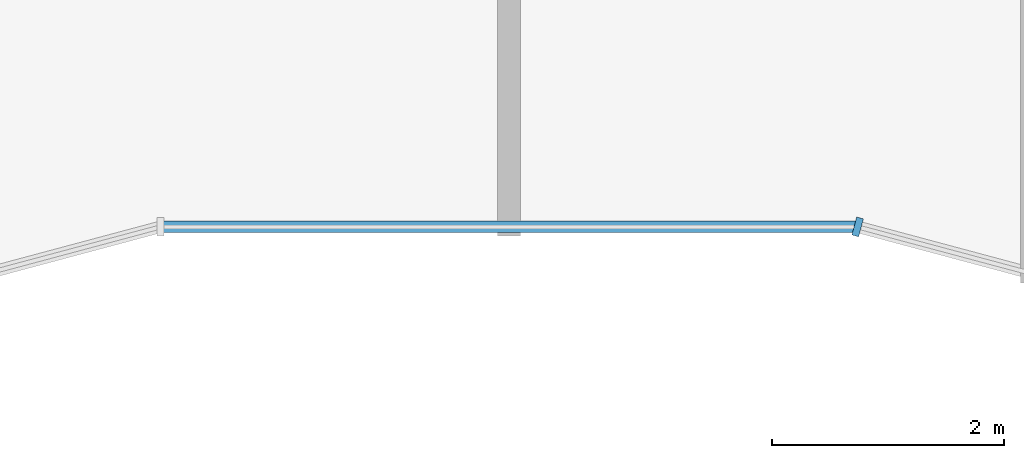
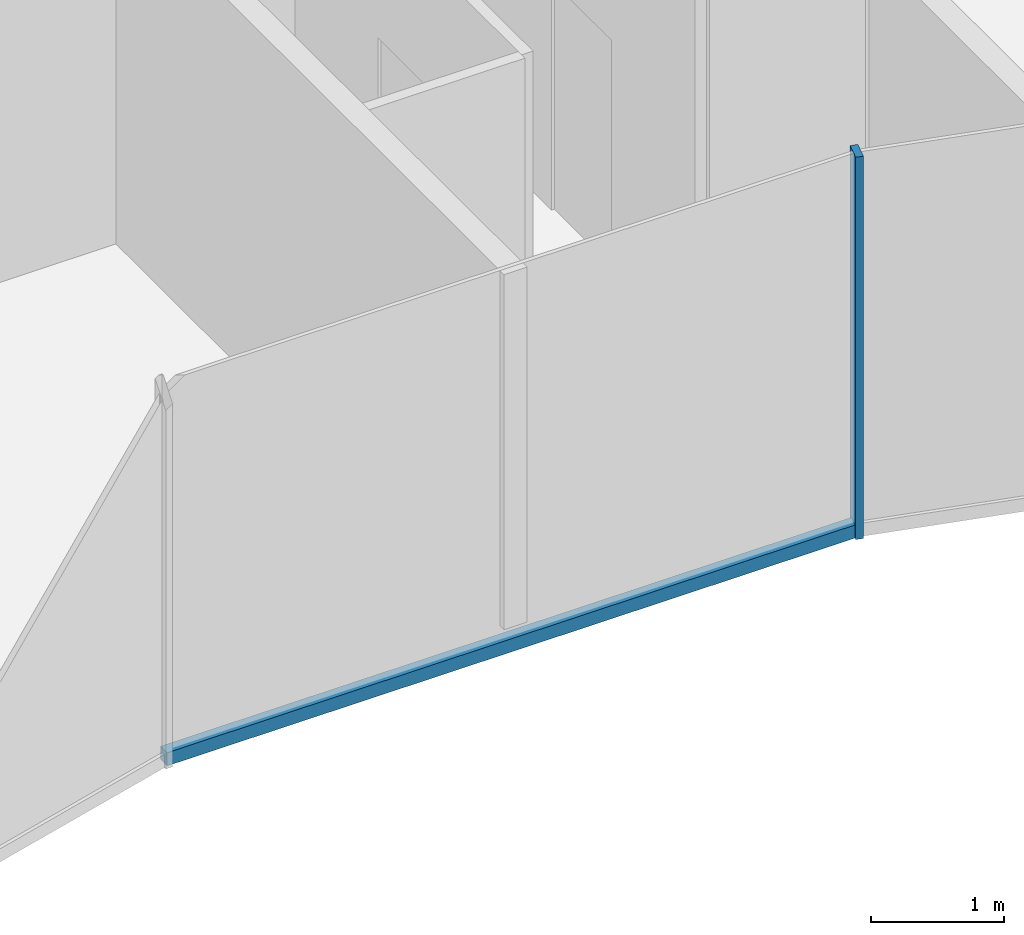
# One storey, part 3 of 16: 2 members, 2 elements without a shape of their own.
"""IFC4 building model written with IfcOpenShell, lengths in metres."""

import ifcopenshell
import ifcopenshell.guid

model = None  # the IFC model being written
_history = None  # IfcOwnerHistory: only IFC2X3 demands one
_inside = {}  # id of a spatial element -> (the spatial element, [elements in it])
_under = {}  # id of a project, library or spatial element -> (it, [spatial elements below it])
_declared = {}  # id of a project -> (the project, [libraries it declares])
_typed = {}  # id of a type object -> (the type object, [elements of that type])
_made_of = {}  # id of a material, layer set ... -> (it, [elements and type objects made of it])


def new_model(schema):
    """Start an empty IFC model of exactly this schema.

    Asked for "IFC4X3", IfcOpenShell would pick the latest addendum, in which some entities
    have other attributes; the version numbers below select the first issue.
    IFC2X3 requires an IfcOwnerHistory on every rooted entity: one is made here for all.
    """
    global model, _history
    if schema == "IFC4X3":
        model = ifcopenshell.file(schema_version=(4, 3, 0, 0))
    else:
        model = ifcopenshell.file(schema=schema)
    _inside.clear()
    _under.clear()
    _declared.clear()
    _typed.clear()
    _made_of.clear()
    _history = None
    if model.schema == "IFC2X3":
        org = make("IfcOrganization", Name="unknown")
        user = make(
            "IfcPersonAndOrganization",
            ThePerson=make("IfcPerson", FamilyName="unknown"),
            TheOrganization=org,
        )
        app = make(
            "IfcApplication",
            ApplicationDeveloper=org,
            Version="unknown",
            ApplicationFullName="unknown",
            ApplicationIdentifier="unknown",
        )
        _history = make(
            "IfcOwnerHistory",
            OwningUser=user,
            OwningApplication=app,
            ChangeAction="ADDED",
            CreationDate=0,
        )
    return model


def make(cls, **values):
    """One entity of the class cls with the attributes given. An attribute that is None is left unset."""
    return model.create_entity(
        cls, **{name: value for name, value in values.items() if value is not None}
    )


def rooted(cls, **values):
    """An entity with a GlobalId (a new one), such as an element, a storey or a relation."""
    return make(cls, GlobalId=ifcopenshell.guid.new(), OwnerHistory=_history, **values)


def si_unit(unit_type, name, prefix=None):
    """IfcSIUnit, for example si_unit("LENGTHUNIT", "METRE", prefix="MILLI")."""
    return make("IfcSIUnit", UnitType=unit_type, Prefix=prefix, Name=name)


def assignment(units):
    """IfcUnitAssignment: the units of a project."""
    return None if units is None else make("IfcUnitAssignment", Units=units)


def point(xyz):
    """IfcCartesianPoint."""
    return None if xyz is None else make("IfcCartesianPoint", Coordinates=xyz)


def direction(xyz):
    """IfcDirection."""
    return None if xyz is None else make("IfcDirection", DirectionRatios=xyz)


def frame(location, z_axis=None, x_axis=None):
    """IfcAxis2Placement3D, a coordinate frame: its origin and axes. An axis left out is left unset."""
    return make(
        "IfcAxis2Placement3D",
        Location=point(location),
        Axis=direction(z_axis),
        RefDirection=direction(x_axis),
    )


def frame_2d(location, x_axis=None):
    """IfcAxis2Placement2D, a coordinate frame in the plane: its origin and x axis."""
    return make(
        "IfcAxis2Placement2D", Location=point(location), RefDirection=direction(x_axis)
    )


def origin():
    """The frame at (0, 0, 0) with its axes left unset."""
    return frame((0.0, 0.0, 0.0))


def origin_2d():
    """The frame at (0, 0) in the plane with its x axis left unset."""
    return frame_2d((0.0, 0.0))


def place(relative_to, where):
    """IfcLocalPlacement: puts the frame where relative to a parent placement (None: the world)."""
    return make(
        "IfcLocalPlacement", PlacementRelTo=relative_to, RelativePlacement=where
    )


def context(
    kind, dimensions, precision=None, world=None, true_north=None, identifier=None
):
    """IfcGeometricRepresentationContext, for example the 3D "Model" context."""
    return make(
        "IfcGeometricRepresentationContext",
        ContextIdentifier=identifier,
        ContextType=kind,
        CoordinateSpaceDimension=dimensions,
        Precision=precision,
        WorldCoordinateSystem=world,
        TrueNorth=true_north,
    )


def subcontext(parent, identifier, kind, view, scale=None):
    """IfcGeometricRepresentationSubContext, for example "Body" below "Model"."""
    return make(
        "IfcGeometricRepresentationSubContext",
        ContextIdentifier=identifier,
        ContextType=kind,
        ParentContext=parent,
        TargetScale=scale,
        TargetView=view,
    )


def project(units=None, contexts=None):
    """IfcProject with its units and contexts."""
    return rooted(
        "IfcProject",
        Name="project",
        RepresentationContexts=contexts,
        UnitsInContext=assignment(units),
    )


def spatial(cls, under=None, at=None, **own):
    """A site, building, storey or space (cls), placed at a placement, below another one or the project."""
    s = rooted(cls, ObjectPlacement=at, **own)
    if under is not None:
        _under.setdefault(under.id(), (under, []))[1].append(s)
    return s


def profile(cls, at=None, kind="AREA", **sizes):
    """A parametric profile (cls). Its sizes go by their IFC names, for example OverallWidth=200.0."""
    return make(cls, ProfileType=kind, Position=at, **sizes)


def rectangle(**sizes):
    """IfcRectangleProfileDef."""
    return profile("IfcRectangleProfileDef", **sizes)


def extrude(swept, where, along, depth):
    """IfcExtrudedAreaSolid: the profile swept, set in the frame where, extruded along a direction by depth."""
    return make(
        "IfcExtrudedAreaSolid",
        SweptArea=swept,
        Position=where,
        ExtrudedDirection=direction(along),
        Depth=depth,
    )


def shape(context_of_items, identifier, shape_type, items):
    """IfcShapeRepresentation: the items that make up one representation, for example the "Body"."""
    return make(
        "IfcShapeRepresentation",
        ContextOfItems=context_of_items,
        RepresentationIdentifier=identifier,
        RepresentationType=shape_type,
        Items=items,
    )


def material(Name=None, Category=None):
    """IfcMaterial."""
    return make("IfcMaterial", Name=Name, Category=Category)


def layer(
    of_material, thickness, ventilated=None, Name=None, Category=None, Priority=None
):
    """IfcMaterialLayer: one layer of a wall or slab, of a material (None: an air gap)."""
    return make(
        "IfcMaterialLayer",
        Material=of_material,
        LayerThickness=thickness,
        IsVentilated=ventilated,
        Name=Name,
        Category=Category,
        Priority=Priority,
    )


def layer_set(layers, Name=None):
    """IfcMaterialLayerSet."""
    return make("IfcMaterialLayerSet", MaterialLayers=layers, LayerSetName=Name)


def material_profile(
    of_material, cross_section, Name=None, Category=None, Priority=None
):
    """IfcMaterialProfile: a cross section and its material."""
    return make(
        "IfcMaterialProfile",
        Name=Name,
        Material=of_material,
        Profile=cross_section,
        Priority=Priority,
        Category=Category,
    )


def profile_set(profiles, Name=None, composite=None):
    """IfcMaterialProfileSet."""
    return make(
        "IfcMaterialProfileSet",
        Name=Name,
        MaterialProfiles=profiles,
        CompositeProfile=composite,
    )


def made_of(thing, what):
    """Note that an element or type object is made of a material, layer set ...; save() writes the relation."""
    if what is not None:
        _made_of.setdefault(what.id(), (what, []))[1].append(thing)
    return thing


def type_object(cls, material=None, **own):
    """A type object (cls), such as IfcWallType, which elements share."""
    return made_of(rooted(cls, **own), material)


def element(
    cls,
    number,
    at=None,
    inside=None,
    cuts=None,
    type_object=None,
    material=None,
    context=None,
    identifier="Body",
    shape_type=None,
    held_by="IfcProductDefinitionShape",
    body=None,
    shapes=None,
    **own,
):
    """One element of the class cls, such as IfcWall. Its Tag is "e" and its number.

    at: its placement. inside: the storey or other place that contains it. cuts: it is an
    opening in that element (IfcRelVoidsElement). A single representation is given by context,
    identifier, shape_type and body (its items); several are given by shapes. held_by: the class
    of the entity that holds the representations. save() writes the other relations.
    """
    e = rooted(cls, Tag="e%d" % number, ObjectPlacement=at, **own)
    if body is not None:
        shapes = [shape(context, identifier, shape_type, body)]
    if shapes is not None:
        e.Representation = make(held_by, Representations=shapes)
    if inside is not None:
        _inside.setdefault(inside.id(), (inside, []))[1].append(e)
    if cuts is not None:
        rooted(
            "IfcRelVoidsElement", RelatingBuildingElement=cuts, RelatedOpeningElement=e
        )
    if type_object is not None:
        _typed.setdefault(type_object.id(), (type_object, []))[1].append(e)
    return made_of(e, material)


def aggregate(whole, parts):
    """IfcRelAggregates: a whole, such as a stair, and the parts it consists of."""
    return rooted("IfcRelAggregates", RelatingObject=whole, RelatedObjects=parts)


def save(model, path):
    """Write the relations noted so far, then the file.

    IfcRelAggregates (storeys below a building ...), IfcRelContainedInSpatialStructure (elements
    in a storey), IfcRelDefinesByType, IfcRelAssociatesMaterial and IfcRelDeclares: one each for
    every whole, place, type object, material and project.
    """
    for whole, parts in _under.values():
        aggregate(whole, parts)
    for where, things in _inside.values():
        rooted(
            "IfcRelContainedInSpatialStructure",
            RelatedElements=things,
            RelatingStructure=where,
        )
    for kind, things in _typed.values():
        rooted("IfcRelDefinesByType", RelatedObjects=things, RelatingType=kind)
    for what, things in _made_of.values():
        rooted("IfcRelAssociatesMaterial", RelatedObjects=things, RelatingMaterial=what)
    for by, libraries in _declared.values():
        rooted("IfcRelDeclares", RelatingContext=by, RelatedDefinitions=libraries)
    model.write(path)


model = new_model("IFC4")

# Units and contexts
model_context = context("Model", 3, precision=1e-05, world=origin(), true_north=direction((0.0, 1.0)))
body_context = subcontext(model_context, "Body", "Model", "MODEL_VIEW")
ifc_project = project(units=[si_unit("LENGTHUNIT", "METRE"), si_unit("AREAUNIT", "SQUARE_METRE"), si_unit("VOLUMEUNIT", "CUBIC_METRE"), si_unit("PLANEANGLEUNIT", "RADIAN"), si_unit("MASSUNIT", "GRAM", prefix="KILO")], contexts=[model_context])

# Site, building, storey
site_placement = place(None, origin())
site = spatial("IfcSite", under=ifc_project, at=site_placement, CompositionType="ELEMENT")
building_placement = place(site_placement, origin())
building = spatial("IfcBuilding", under=site, at=building_placement, Name="Plateau Cross Towers", CompositionType="ELEMENT")
storey_placement = place(building_placement, frame((0.0, 0.0, 160.39990234375)))
storey = spatial("IfcBuildingStorey", under=building, at=storey_placement, Name="L41", CompositionType="ELEMENT", Elevation=160.39990234375)

# Curtain wall, member
ifc_material_1 = material(Name="Dark low-iron glass", Category="glass")
ifc_layer = layer(ifc_material_1, 0.260009765625)
ifc_layer_set = layer_set([ifc_layer], Name="Dark low-iron glass")
curtain_wall_type = type_object("IfcCurtainWallType", Name="Curtain wall fluted unitised CW-A", PredefinedType="NOTDEFINED", material=ifc_layer_set)
curtain_wall_1_placement = place(storey_placement, origin())
curtain_wall_1 = element("IfcCurtainWall", 1, at=curtain_wall_1_placement, inside=storey, type_object=curtain_wall_type, Name="ENV/A/L41/A300_16", PredefinedType="NOTDEFINED")
ifc_material_2 = material(Name="Black anodised aluminium", Category="aluminium")
ifc_material_profile_1 = material_profile(ifc_material_2, rectangle(XDim=0.06005859375, YDim=0.159912109375, at=origin_2d()), Name="MULLION 60x160")
ifc_profile_set_1 = profile_set([ifc_material_profile_1], Name="Black anodised aluminium")
member_type_1 = type_object("IfcMemberType", Name="Mullion 60x160 fluted unitised", PredefinedType="MULLION", material=ifc_profile_set_1)
member_1_placement = place(storey_placement, frame((30.0, 1.60693359375, -0.25), z_axis=(0.0, 0.0, 1.0), x_axis=(0.965957983404, -0.258699003279, 0.0)))
member_1 = element("IfcMember", 2, at=member_1_placement, type_object=member_type_1, Name="CW-A mullion 1", PredefinedType="MULLION", context=body_context, shape_type="SweptSolid", body=[
    extrude(rectangle(XDim=0.06005859375, YDim=0.159912109375, at=origin_2d()), origin(), (0.0, 0.0, 1.0), 3.5),
])
aggregate(curtain_wall_1, [member_1])

curtain_wall_2_placement = place(storey_placement, origin())
curtain_wall_2 = element("IfcCurtainWall", 3, at=curtain_wall_2_placement, inside=storey, type_object=curtain_wall_type, Name="ENV/A/L41/A240_16", PredefinedType="NOTDEFINED")
ifc_material_profile_2 = material_profile(ifc_material_2, rectangle(XDim=0.10009765625, YDim=0.1201171875, at=origin_2d()), Name="TRANSOM 100x120")
ifc_profile_set_2 = profile_set([ifc_material_profile_2], Name="Black anodised aluminium")
member_type_2 = type_object("IfcMemberType", Name="Transom 100x120 fluted unitised", PredefinedType="USERDEFINED", material=ifc_profile_set_2)
member_2_placement = place(storey_placement, frame((24.0, 1.60693359375, -0.18994140625), z_axis=(1.0, 0.0, 0.0), x_axis=(0.0, 1.0, 0.0)))
member_2 = element("IfcMember", 4, at=member_2_placement, type_object=member_type_2, Name="CW-A transom", ObjectType="TRANSOM", PredefinedType="USERDEFINED", context=body_context, shape_type="SweptSolid", body=[
    extrude(rectangle(XDim=0.10009765625, YDim=0.1201171875, at=origin_2d()), origin(), (0.0, 0.0, 1.0), 6.0),
])
aggregate(curtain_wall_2, [member_2])

save(model, "model.ifc")
